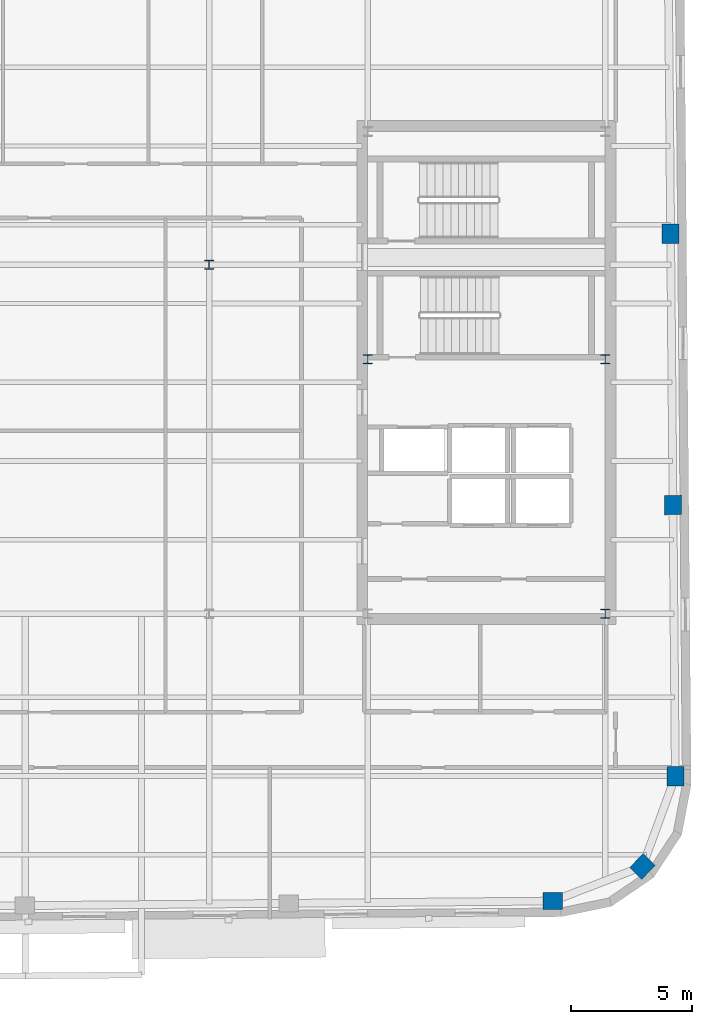
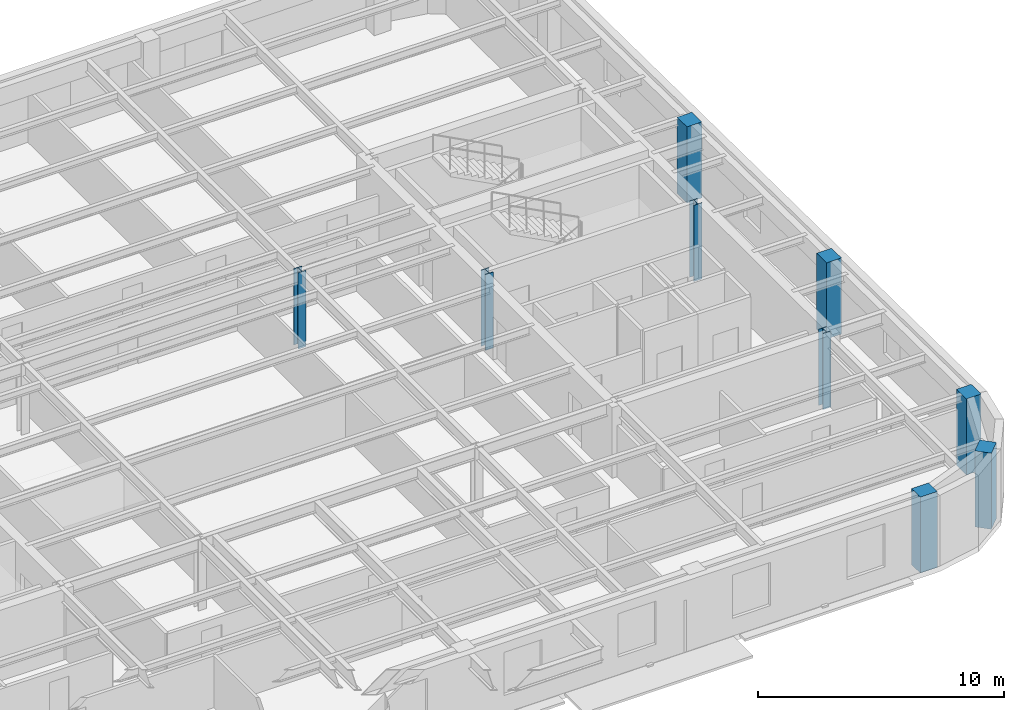
# One storey, part 2 of 14: 9 columns.
"""IFC4 building model written with IfcOpenShell, lengths in metres."""

from ifc_helpers import new_model, si_unit, direction, frame, origin, origin_2d, place, context, subcontext, project, spatial, rectangle, i_section, extrude, material, material_profile, profile_set, type_object, element, save


model = new_model("IFC4")

# Units and contexts
model_context = context("Model", 3, precision=1e-05, world=origin(), true_north=direction((0.0, 1.0)))
body_context = subcontext(model_context, "Body", "Model", "MODEL_VIEW")
ifc_project = project(units=[si_unit("LENGTHUNIT", "METRE"), si_unit("AREAUNIT", "SQUARE_METRE"), si_unit("VOLUMEUNIT", "CUBIC_METRE"), si_unit("PLANEANGLEUNIT", "RADIAN"), si_unit("MASSUNIT", "GRAM", prefix="KILO")], contexts=[model_context])

# Site, building, storey
site_placement = place(None, origin())
site = spatial("IfcSite", under=ifc_project, at=site_placement, CompositionType="ELEMENT")
building_placement = place(site_placement, origin())
building = spatial("IfcBuilding", under=site, at=building_placement, Name="Kolvaren Arena Tower", CompositionType="ELEMENT")
storey_placement = place(building_placement, frame((0.0, 0.0, 308.64990234375)))
storey = spatial("IfcBuildingStorey", under=building, at=storey_placement, Name="L76", CompositionType="ELEMENT", Elevation=308.64990234375)

# Columns
ifc_material_1 = material(Name="Precast concrete C50/60", Category="concrete")
ifc_material_profile_1 = material_profile(ifc_material_1, rectangle(XDim=0.800048828125, YDim=0.699951171875, at=origin_2d()), Name="RC-800x700")
ifc_profile_set_1 = profile_set([ifc_material_profile_1], Name="Precast concrete C50/60")
column_type_1 = type_object("IfcColumnType", Name="EXCOL-Z5", PredefinedType="COLUMN", material=ifc_profile_set_1)
for number, where, z_axis, x_axis, name in (
    (1, (58.190185546875, 7.591064453125, -0.27001953125), (0.0, 0.0, 1.0), (0.999961923064, 0.008726535498, 0.0), "Exoskeleton Perimeter Column 05 (L76)"),
    (2, (61.88671875, 9.0146484375, -0.27001953125), (0.0, 0.0, 1.0), (0.7009092643, 0.713250449154, 0.0), "Exoskeleton Perimeter Column 06 (L76)"),
    (3, (63.24560546875, 12.7353515625, -0.27001953125), (0.0, 0.0, 1.0), (-0.008726535498, 0.999961923064, 0.0), "Exoskeleton Perimeter Column 07 (L76)"),
    (4, (63.147705078125, 23.93505859375, -0.27001953125), (0.0, 0.0, 1.0), (-0.008726535498, 0.999961923064, 0.0), "Exoskeleton Perimeter Column 08 (L76)"),
    (5, (63.050048828125, 35.134521484375, -0.27001953125), (0.0, 0.0, 1.0), (-0.008726535498, 0.999961923064, 0.0), "Exoskeleton Perimeter Column 09 (L76)"),
):
    element("IfcColumn", number, at=place(storey_placement, frame(where, z_axis=z_axis, x_axis=x_axis)), inside=storey, type_object=column_type_1, Name=name, PredefinedType="COLUMN", context=body_context, shape_type="SweptSolid", body=[
        extrude(rectangle(XDim=0.800048828125, YDim=0.699951171875, at=origin_2d()), origin(), (0.0, 0.0, 1.0), 3.780029296875),
    ])
ifc_material_2 = material(Name="Steel ASTM A913 Grade 65", Category="steel")
ifc_material_profile_2 = material_profile(ifc_material_2, i_section(OverallWidth=0.3740234375, OverallDepth=0.3720703125, WebThickness=0.016357421875, FlangeThickness=0.026123046875, FilletRadius=0.02001953125, at=origin_2d()), Name="W360x196")
ifc_profile_set_2 = profile_set([ifc_material_profile_2], Name="Steel ASTM A913 Grade 65")
column_type_2 = type_object("IfcColumnType", Name="SCOL-Z5", PredefinedType="COLUMN", material=ifc_profile_set_2)
for number, where, z_axis, x_axis, name in (
    (6, (60.35009765625, 19.449951171875, -0.27001953125), (0.0, 0.0, 1.0), (1.0, 0.0, 0.0), "Core Boundary Column EC-SE (L76)"),
    (7, (50.550048828125, 29.949951171875, -0.27001953125), (0.0, 0.0, 1.0), (1.0, 0.0, 0.0), "Core Boundary Column EC-MW (L76)"),
    (8, (60.35009765625, 29.949951171875, -0.27001953125), (0.0, 0.0, 1.0), (1.0, 0.0, 0.0), "Core Boundary Column EC-ME (L76)"),
    (9, (44.0, 33.85009765625, -0.27001953125), (0.0, 0.0, 1.0), (1.0, 0.0, 0.0), "Interior Gravity Column TC-NE (L76)"),
):
    element("IfcColumn", number, at=place(storey_placement, frame(where, z_axis=z_axis, x_axis=x_axis)), inside=storey, type_object=column_type_2, Name=name, PredefinedType="COLUMN", context=body_context, shape_type="SweptSolid", body=[
        extrude(i_section(OverallWidth=0.3740234375, OverallDepth=0.3720703125, WebThickness=0.016357421875, FlangeThickness=0.026123046875, FilletRadius=0.02001953125, at=origin_2d()), origin(), (0.0, 0.0, 1.0), 3.780029296875),
    ])

save(model, "model.ifc")
